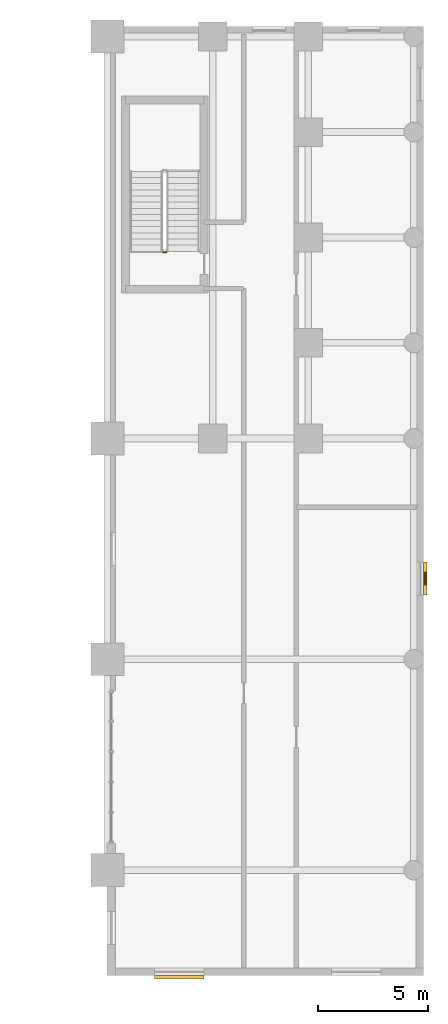
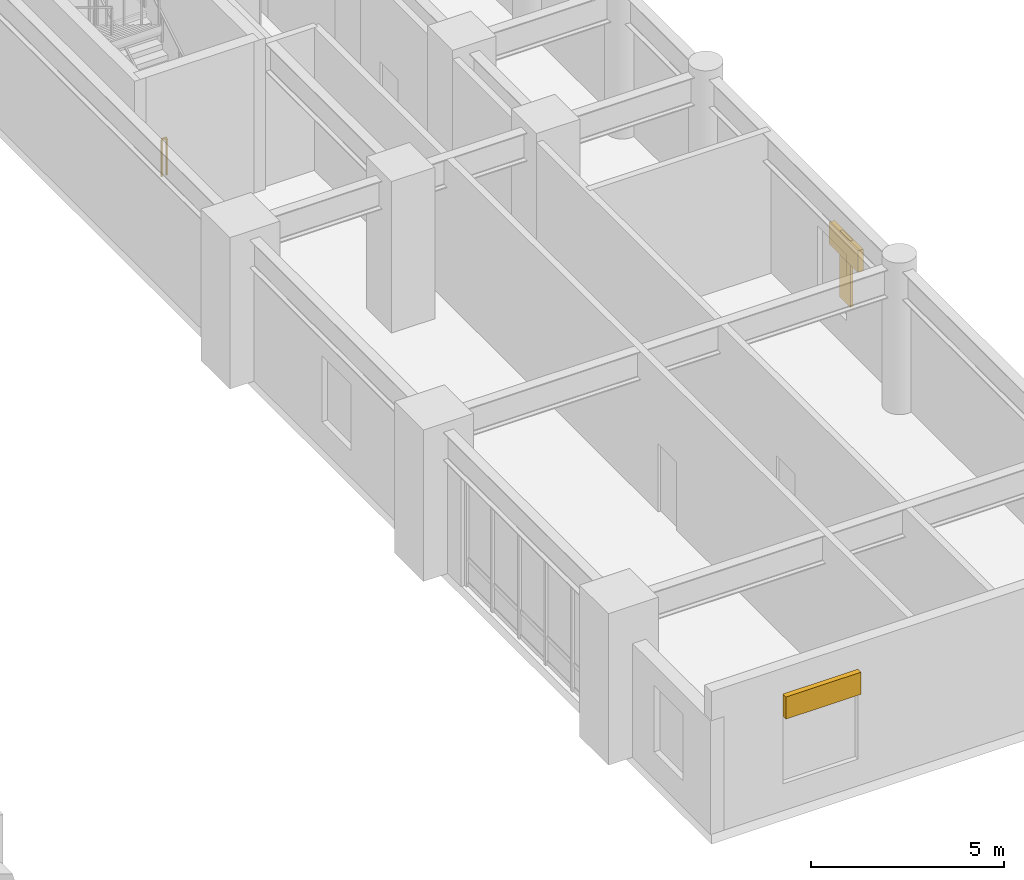
# One storey, part 10 of 11: 3 shading devices, 1 railing.
"""IFC4 building model written with IfcOpenShell, lengths in metres."""

from ifc_helpers import new_model, si_unit, direction, frame, origin, origin_2d, place, context, subcontext, project, spatial, rectangle, extrude, material, type_object, element, save


model = new_model("IFC4")

# Units and contexts
model_context = context("Model", 3, precision=1e-05, world=origin(), true_north=direction((0.0, 1.0)))
body_context = subcontext(model_context, "Body", "Model", "MODEL_VIEW")
ifc_project = project(units=[si_unit("LENGTHUNIT", "METRE"), si_unit("AREAUNIT", "SQUARE_METRE"), si_unit("VOLUMEUNIT", "CUBIC_METRE"), si_unit("PLANEANGLEUNIT", "RADIAN"), si_unit("MASSUNIT", "GRAM", prefix="KILO")], contexts=[model_context])

# Site, building, storey
site_placement = place(None, origin())
site = spatial("IfcSite", under=ifc_project, at=site_placement, CompositionType="ELEMENT")
building_placement = place(site_placement, origin())
building = spatial("IfcBuilding", under=site, at=building_placement, Name="Orvandelia Arch Residences", CompositionType="ELEMENT")
storey_placement = place(building_placement, frame((0.0, 0.0, 5.199951171875)))
storey = spatial("IfcBuildingStorey", under=building, at=storey_placement, Name="L01", CompositionType="ELEMENT", Elevation=5.199951171875)

# Railing
ifc_material_1 = material(Name="Brushed Stainless Steel 304", Category="steel")
railing_type = type_object("IfcRailingType", Name="RL-STAIR-GD1120", PredefinedType="GUARDRAIL", material=ifc_material_1)
railing_placement = place(storey_placement, frame((45.8798828125, 37.719970703125, 0.0)))
element("IfcRailing", 1, at=railing_placement, inside=storey, type_object=railing_type, Name="L01 ST-3 stair guard 4", PredefinedType="GUARDRAIL", context=body_context, shape_type="SweptSolid", body=[
    extrude(rectangle(XDim=0.048095703125, YDim=0.048095703125, at=origin_2d()), frame((0.0, 0.0, 1.17578125), z_axis=(-1.0, 0.0, 0.0), x_axis=(0.0, -1.0, 0.0)), (0.0, 0.0, 1.0), 0.14990234375),
    extrude(rectangle(XDim=0.0419921875, YDim=0.0419921875, at=origin_2d()), origin(), (0.0, 0.0, 1.0), 1.15185546875),
    extrude(rectangle(XDim=0.0419921875, YDim=0.0419921875, at=origin_2d()), frame((-0.14990234375, 0.0, 0.0)), (0.0, 0.0, 1.0), 1.15185546875),
])

# Shading devices
ifc_material_2 = material(Name="Anodised Champagne-Bronze Extruded Aluminium", Category="aluminium")
shading_device_type_1 = type_object("IfcShadingDeviceType", Name="SHD-JALOUSIE-SCREEN", PredefinedType="JALOUSIE", material=ifc_material_2)
shading_device_1_placement = place(storey_placement, frame((57.679931640625, 22.875, 2.25), z_axis=(0.0, 0.0, 1.0), x_axis=(0.0, -1.0, 0.0)))
element("IfcShadingDevice", 2, at=shading_device_1_placement, inside=storey, type_object=shading_device_type_1, Name="Bronze Jalousie Sun-Shade L01-003", PredefinedType="JALOUSIE", context=body_context, shape_type="SweptSolid", body=[
    extrude(rectangle(XDim=1.5, YDim=0.159912109375, at=origin_2d()), origin(), (0.0, 0.0, 1.0), 0.699951171875),
])
shading_device_2_placement = place(storey_placement, frame((46.465087890625, 4.719970703125, 3.0), z_axis=(0.0, 0.0, 1.0), x_axis=(-1.0, 0.0, 0.0)))
element("IfcShadingDevice", 3, at=shading_device_2_placement, inside=storey, type_object=shading_device_type_1, Name="Bronze Jalousie Sun-Shade L01-004", PredefinedType="JALOUSIE", context=body_context, shape_type="SweptSolid", body=[
    extrude(rectangle(XDim=2.25, YDim=0.159912109375, at=origin_2d()), origin(), (0.0, 0.0, 1.0), 0.699951171875),
])
ifc_material_3 = material(Name="Marine-Grade Perforated Aluminium Storm Shutter", Category="aluminium")
shading_device_type_2 = type_object("IfcShadingDeviceType", Name="SHD-STORM-SHUTTER", PredefinedType="SHUTTER", material=ifc_material_3)
shading_device_3_placement = place(storey_placement, frame((57.679931640625, 22.875, 0.85009765625), z_axis=(0.0, 0.0, 1.0), x_axis=(0.0, -1.0, 0.0)))
element("IfcShadingDevice", 4, at=shading_device_3_placement, inside=storey, type_object=shading_device_type_2, Name="Operable Typhoon Storm Shutter L01-003", PredefinedType="SHUTTER", context=body_context, shape_type="SweptSolid", body=[
    extrude(rectangle(XDim=0.550048828125, YDim=0.080078125, at=origin_2d()), origin(), (0.0, 0.0, 1.0), 2.10009765625),
])

save(model, "model.ifc")
